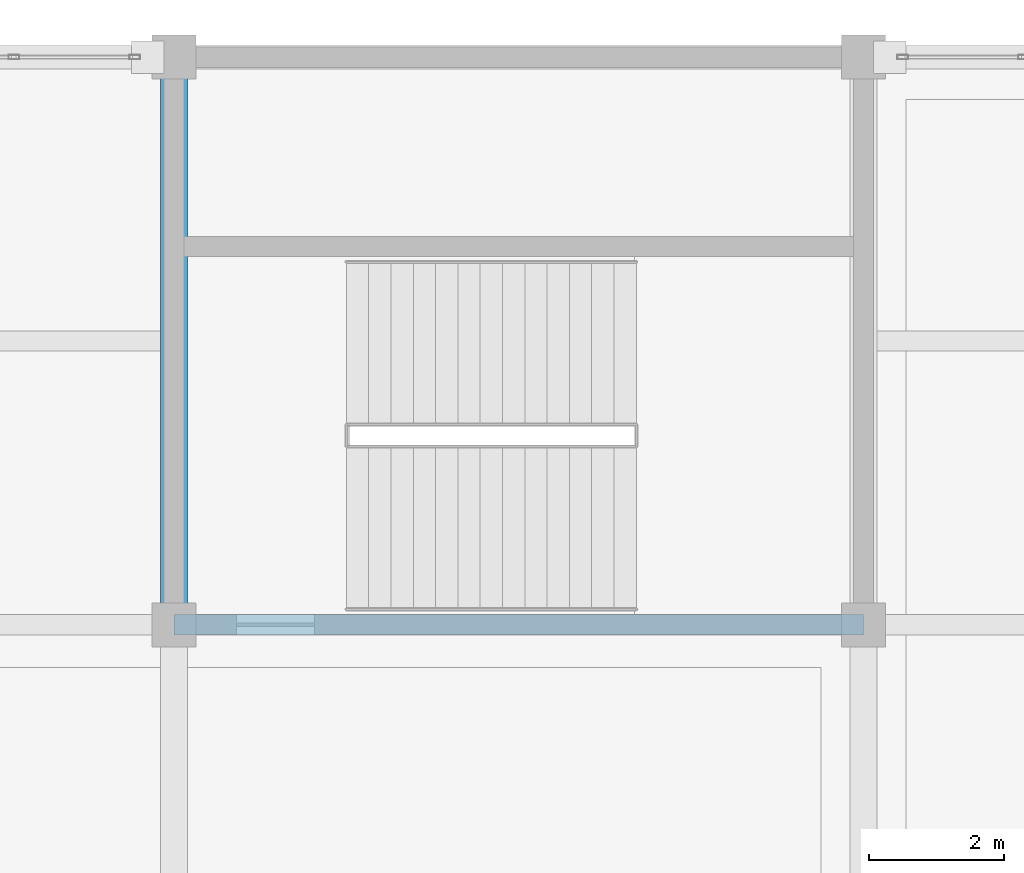
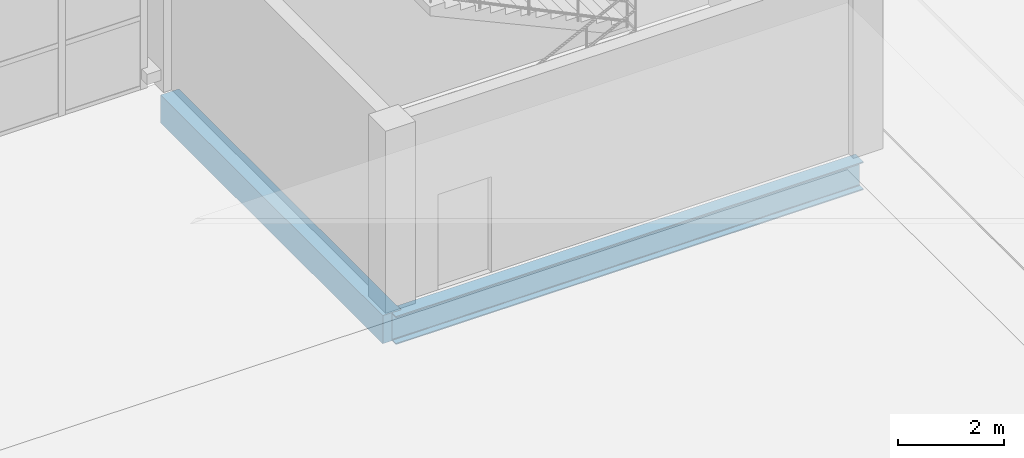
# One storey, part 94 of 135: 2 beams.
"""IFC4 building model written with IfcOpenShell, lengths in metres."""

from ifc_helpers import new_model, si_unit, direction, frame, origin, origin_2d, place, context, subcontext, project, spatial, rectangle, i_section, extrude, material, material_profile, profile_set, type_object, element, save


model = new_model("IFC4")

# Units and contexts
model_context = context("Model", 3, precision=1e-05, world=origin(), true_north=direction((0.0, 1.0)))
body_context = subcontext(model_context, "Body", "Model", "MODEL_VIEW")
ifc_project = project(units=[si_unit("LENGTHUNIT", "METRE"), si_unit("AREAUNIT", "SQUARE_METRE"), si_unit("VOLUMEUNIT", "CUBIC_METRE"), si_unit("PLANEANGLEUNIT", "RADIAN"), si_unit("MASSUNIT", "GRAM", prefix="KILO")], contexts=[model_context])

# Site, building, storey
site_placement = place(None, origin())
site = spatial("IfcSite", under=ifc_project, at=site_placement, CompositionType="ELEMENT")
building_placement = place(site_placement, origin())
building = spatial("IfcBuilding", under=site, at=building_placement, Name="Brelvane Convention Centre", CompositionType="ELEMENT")
storey_placement = place(building_placement, frame((0.0, 0.0, 15.0)))
storey = spatial("IfcBuildingStorey", under=building, at=storey_placement, Name="L03", CompositionType="ELEMENT", Elevation=15.0)

# Beams
ifc_material_1 = material(Name="Concrete M40", Category="concrete")
ifc_material_profile_1 = material_profile(ifc_material_1, rectangle(XDim=0.39990234375, YDim=0.64990234375, at=origin_2d()), Name="RC 400x650")
ifc_profile_set_1 = profile_set([ifc_material_profile_1], Name="Concrete M40")
beam_type_1 = type_object("IfcBeamType", Name="RC Beam B-RC7 (RC 400x650)", PredefinedType="BEAM", material=ifc_profile_set_1)
beam_1_placement = place(storey_placement, frame((20.39990234375, 135.60009765625, -0.6201171875), z_axis=(0.0, 1.0, 0.0), x_axis=(-1.0, 0.0, 0.0)))
element("IfcBeam", 1, at=beam_1_placement, inside=storey, type_object=beam_type_1, Name="L03 Girder 3/P-Q", PredefinedType="BEAM", context=body_context, shape_type="SweptSolid", body=[
    extrude(rectangle(XDim=0.39990234375, YDim=0.64990234375, at=origin_2d()), origin(), (0.0, 0.0, 1.0), 8.39990234375),
])
ifc_material_2 = material(Name="Steel E350 (350 MPa)", Category="steel")
ifc_material_profile_2 = material_profile(ifc_material_2, i_section(OverallWidth=0.300048828125, OverallDepth=0.64990234375, WebThickness=0.014404296875, FlangeThickness=0.02587890625, FilletRadius=0.02392578125, at=origin_2d()), Name="NPB 650x300")
ifc_profile_set_2 = profile_set([ifc_material_profile_2], Name="Steel E350 (350 MPa)")
beam_type_2 = type_object("IfcBeamType", Name="Steel Beam B-ST4 (NPB 650x300)", PredefinedType="BEAM", material=ifc_profile_set_2)
beam_2_placement = place(storey_placement, frame((20.39990234375, 135.60009765625, -0.6201171875), z_axis=(1.0, 0.0, 0.0), x_axis=(0.0, 1.0, 0.0)))
element("IfcBeam", 2, at=beam_2_placement, inside=storey, type_object=beam_type_2, Name="L03 Beam 3-4/P", PredefinedType="BEAM", context=body_context, shape_type="SweptSolid", body=[
    extrude(i_section(OverallWidth=0.300048828125, OverallDepth=0.64990234375, WebThickness=0.014404296875, FlangeThickness=0.02587890625, FilletRadius=0.02392578125, at=origin_2d()), origin(), (0.0, 0.0, 1.0), 10.2001953125),
])

save(model, "model.ifc")
